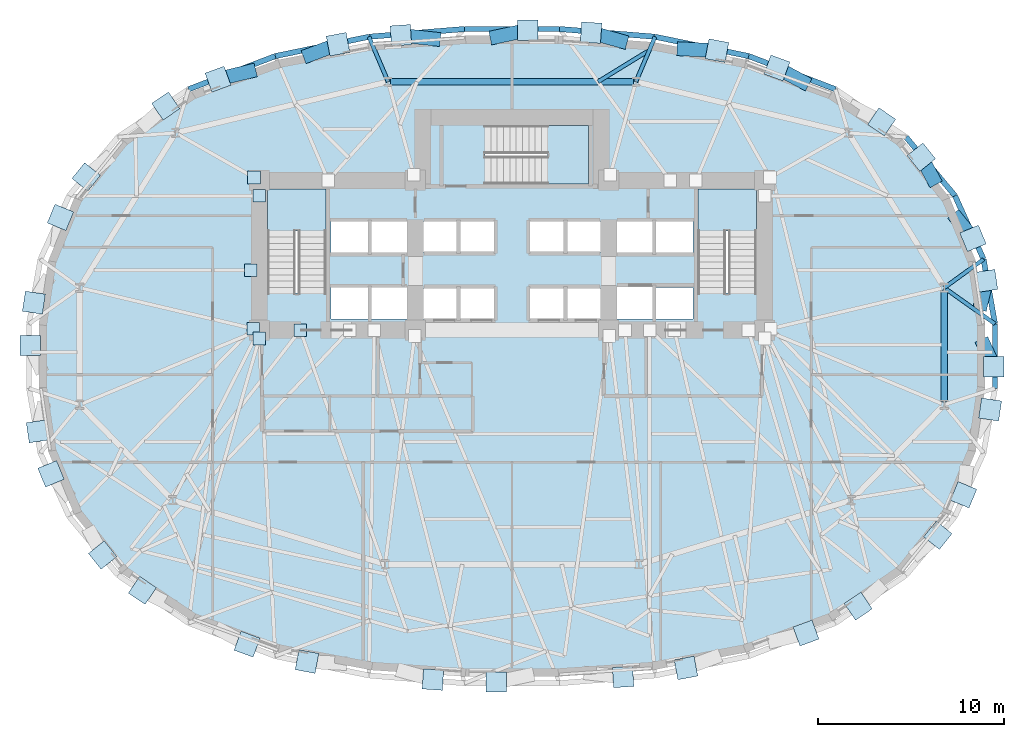
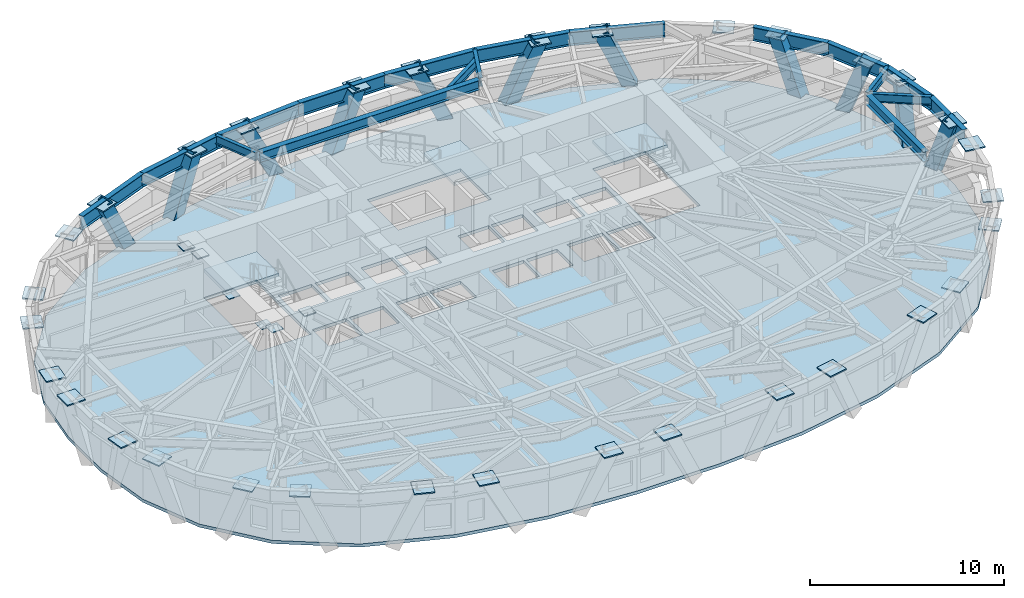
# One storey, part 4 of 13: 38 plates, 18 beams, 11 members, 4 slabs, 3 elements without a shape of their own.
"""IFC4 building model written with IfcOpenShell, lengths in metres."""

from ifc_helpers import new_model, si_unit, direction, frame, origin, origin_2d, place, context, subcontext, project, spatial, polyline, rectangle, hollow_rectangle, i_section, outline, extrude, material, layer, layer_set, material_profile, profile_set, type_object, element, aggregate, save


model = new_model("IFC4")

# Units and contexts
model_context = context("Model", 3, precision=1e-05, world=origin(), true_north=direction((0.0, 1.0)))
body_context = subcontext(model_context, "Body", "Model", "MODEL_VIEW")
ifc_project = project(units=[si_unit("LENGTHUNIT", "METRE"), si_unit("AREAUNIT", "SQUARE_METRE"), si_unit("VOLUMEUNIT", "CUBIC_METRE"), si_unit("PLANEANGLEUNIT", "RADIAN"), si_unit("MASSUNIT", "GRAM", prefix="KILO")], contexts=[model_context])

# Site, building, storey
site_placement = place(None, origin())
site = spatial("IfcSite", under=ifc_project, at=site_placement, CompositionType="ELEMENT")
building_placement = place(site_placement, origin())
building = spatial("IfcBuilding", under=site, at=building_placement, Name="Keldmark Tower", CompositionType="ELEMENT")
storey_placement = place(building_placement, frame((0.0, 0.0, 30.60009765625)))
storey = spatial("IfcBuildingStorey", under=building, at=storey_placement, Name="L07", CompositionType="ELEMENT", Elevation=30.60009765625)

# Members
ifc_material_1 = material(Name="Steel ASTM A572 Grade 50", Category="steel")
ifc_material_profile_1 = material_profile(ifc_material_1, hollow_rectangle(XDim=0.75, YDim=0.75, WallThickness=0.06494140625, at=origin_2d()), Name="BOX750X750X65")
ifc_profile_set_1 = profile_set([ifc_material_profile_1], Name="Steel ASTM A572 Grade 50")
member_type = type_object("IfcMemberType", Name="Diagrid Lower Brace BOX750X750X65", PredefinedType="BRACE", material=ifc_profile_set_1)
member_1_placement = place(storey_placement, frame((25.229736328125, 2.833984375, -0.280029296875), z_axis=(0.075225400838, 0.321423507025, 0.943942831002), x_axis=(-0.973689104632, 0.227880511497, 0.0)))
element("IfcMember", 1, at=member_1_placement, inside=storey, type_object=member_type, Name="L07 Perimeter Diagrid Brace 01A", PredefinedType="BRACE", context=body_context, shape_type="SweptSolid", body=[
    extrude(hollow_rectangle(XDim=0.75, YDim=0.75, WallThickness=0.06494140625, at=origin_2d()), origin(), (0.0, 0.0, 1.0), 3.771240234375),
])
member_2_placement = place(storey_placement, frame((23.956787109375, 7.371826171875, -0.280029296875), z_axis=(0.221303078076, -0.27330641235, 0.936124218575), x_axis=(0.777168338782, 0.62929275635, 0.0)))
element("IfcMember", 2, at=member_2_placement, inside=storey, type_object=member_type, Name="L07 Perimeter Diagrid Brace 01B", PredefinedType="BRACE", context=body_context, shape_type="SweptSolid", body=[
    extrude(hollow_rectangle(XDim=0.75, YDim=0.75, WallThickness=0.06494140625, at=origin_2d()), origin(), (0.0, 0.0, 1.0), 3.802734375),
])
member_3_placement = place(storey_placement, frame((22.650390625, 9.545654296875, -0.280029296875), z_axis=(-0.165332061105, 0.304609847989, 0.93801820349), x_axis=(-0.878886784033, -0.477030419211, 0.0)))
element("IfcMember", 3, at=member_3_placement, inside=storey, type_object=member_type, Name="L07 Perimeter Diagrid Brace 02A", PredefinedType="BRACE", context=body_context, shape_type="SweptSolid", body=[
    extrude(hollow_rectangle(XDim=0.75, YDim=0.75, WallThickness=0.06494140625, at=origin_2d()), origin(), (0.0, 0.0, 1.0), 3.794921875),
])
member_4_placement = place(storey_placement, frame((15.656005859375, 14.754638671875, -0.280029296875), z_axis=(-0.359953436715, 0.190780958454, 0.913255796197), x_axis=(-0.468304439483, -0.88356717456, 0.0)))
element("IfcMember", 4, at=member_4_placement, inside=storey, type_object=member_type, Name="L07 Perimeter Diagrid Brace 03A", PredefinedType="BRACE", context=body_context, shape_type="SweptSolid", body=[
    extrude(hollow_rectangle(XDim=0.75, YDim=0.75, WallThickness=0.06494140625, at=origin_2d()), origin(), (0.0, 0.0, 1.0), 3.89794921875),
])
member_5_placement = place(storey_placement, frame((9.212646484375, 16.5234375, -0.280029296875), z_axis=(0.454340439565, -0.022597924807, 0.890541463813), x_axis=(0.049676459756, 0.998765362508, 0.0)))
element("IfcMember", 5, at=member_5_placement, inside=storey, type_object=member_type, Name="L07 Perimeter Diagrid Brace 03B", PredefinedType="BRACE", context=body_context, shape_type="SweptSolid", body=[
    extrude(hollow_rectangle(XDim=0.75, YDim=0.75, WallThickness=0.06494140625, at=origin_2d()), origin(), (0.0, 0.0, 1.0), 3.997314453125),
])
member_6_placement = place(storey_placement, frame((5.864013671875, 16.95068359375, -0.280029296875), z_axis=(-0.409407161266, 0.114286366018, 0.905165400822), x_axis=(-0.26887144066, -0.963176073414, 0.0)))
element("IfcMember", 6, at=member_6_placement, inside=storey, type_object=member_type, Name="L07 Perimeter Diagrid Brace 04A", PredefinedType="BRACE", context=body_context, shape_type="SweptSolid", body=[
    extrude(hollow_rectangle(XDim=0.75, YDim=0.75, WallThickness=0.06494140625, at=origin_2d()), origin(), (0.0, 0.0, 1.0), 3.932861328125),
])
member_7_placement = place(storey_placement, frame((-0.841796875, 17.17822265625, -0.280029296875), z_axis=(0.426891227768, 0.090586343215, 0.899754407645), x_axis=(-0.207578015092, 0.978218466218, 0.0)))
element("IfcMember", 7, at=member_7_placement, inside=storey, type_object=member_type, Name="L07 Perimeter Diagrid Brace 04B", PredefinedType="BRACE", context=body_context, shape_type="SweptSolid", body=[
    extrude(hollow_rectangle(XDim=0.75, YDim=0.75, WallThickness=0.06494140625, at=origin_2d()), origin(), (0.0, 0.0, 1.0), 3.95654296875),
])
member_8_placement = place(storey_placement, frame((-4.188720703125, 17.063232421875, -0.280029296875), z_axis=(-0.448411907216, 0.049089045808, 0.892478026087), x_axis=(-0.108822964679, -0.994061146187, 0.0)))
element("IfcMember", 8, at=member_8_placement, inside=storey, type_object=member_type, Name="L07 Perimeter Diagrid Brace 05A", PredefinedType="BRACE", context=body_context, shape_type="SweptSolid", body=[
    extrude(hollow_rectangle(XDim=0.75, YDim=0.75, WallThickness=0.06494140625, at=origin_2d()), origin(), (0.0, 0.0, 1.0), 3.98876953125),
])
member_9_placement = place(storey_placement, frame((-10.89599609375, 16.201904296875, -0.280029296875), z_axis=(0.392148438927, 0.146370525965, 0.908182399618), x_axis=(-0.349687993664, 0.936866216216, 0.0)))
element("IfcMember", 9, at=member_9_placement, inside=storey, type_object=member_type, Name="L07 Perimeter Diagrid Brace 05B", PredefinedType="BRACE", context=body_context, shape_type="SweptSolid", body=[
    extrude(hollow_rectangle(XDim=0.75, YDim=0.75, WallThickness=0.06494140625, at=origin_2d()), origin(), (0.0, 0.0, 1.0), 3.919677734375),
])
member_10_placement = place(storey_placement, frame((-14.11181640625, 15.319091796875, -0.280029296875), z_axis=(-0.429288357235, -0.106230261204, 0.896898343151), x_axis=(0.240211280595, -0.970720629571, 0.0)))
element("IfcMember", 10, at=member_10_placement, inside=storey, type_object=member_type, Name="L07 Perimeter Diagrid Brace 06A", PredefinedType="BRACE", context=body_context, shape_type="SweptSolid", body=[
    extrude(hollow_rectangle(XDim=0.75, YDim=0.75, WallThickness=0.06494140625, at=origin_2d()), origin(), (0.0, 0.0, 1.0), 3.968994140625),
])
member_11_placement = place(storey_placement, frame((25.3994140625, 0.57177734375, -0.280029296875), z_axis=(0.138706027739, -0.302889992508, 0.94287766455), x_axis=(0.90919956447, 0.416360603285, 0.0)))
element("IfcMember", 11, at=member_11_placement, inside=storey, type_object=member_type, Name="L07 Perimeter Diagrid Brace 16B", PredefinedType="BRACE", context=body_context, shape_type="SweptSolid", body=[
    extrude(hollow_rectangle(XDim=0.75, YDim=0.75, WallThickness=0.06494140625, at=origin_2d()), origin(), (0.0, 0.0, 1.0), 3.775390625),
])

# Beams
ifc_material_2 = material(Name="Steel ASTM A992 Grade 50", Category="steel")
ifc_material_profile_2 = material_profile(ifc_material_2, i_section(OverallWidth=0.323974609375, OverallDepth=0.611083984375, WebThickness=0.0126953125, FlangeThickness=0.01904296875, at=origin_2d()), Name="W24X104")
ifc_profile_set_2 = profile_set([ifc_material_profile_2], Name="Steel ASTM A992 Grade 50")
beam_type_1 = type_object("IfcBeamType", Name="Primary Floor Girder W24X104", PredefinedType="BEAM", material=ifc_profile_set_2)
beam_1_placement = place(storey_placement, frame((6.525146484375, 14.760009765625, 3.094482421875), z_axis=(-1.0, 0.0, 0.0), x_axis=(0.0, -1.0, 0.0)))
element("IfcBeam", 12, at=beam_1_placement, inside=storey, type_object=beam_type_1, Name="L07 Floor Ring Girder FG-R03", PredefinedType="BEAM", context=body_context, shape_type="SweptSolid", body=[
    extrude(i_section(OverallWidth=0.323974609375, OverallDepth=0.611083984375, WebThickness=0.0126953125, FlangeThickness=0.01904296875, at=origin_2d()), origin(), (0.0, 0.0, 1.0), 13.05029296875),
])
beam_2_placement = place(storey_placement, frame((23.25390625, -2.47314453125, 3.094482421875), z_axis=(0.0, 1.0, 0.0), x_axis=(-1.0, 0.0, 0.0)))
element("IfcBeam", 13, at=beam_2_placement, inside=storey, type_object=beam_type_1, Name="L07 Floor Ring Girder FG-R12", PredefinedType="BEAM", context=body_context, shape_type="SweptSolid", body=[
    extrude(i_section(OverallWidth=0.323974609375, OverallDepth=0.611083984375, WebThickness=0.0126953125, FlangeThickness=0.01904296875, at=origin_2d()), origin(), (0.0, 0.0, 1.0), 6.01025390625),
])
ifc_material_3 = material(Name="Steel ASTM A992 Grade 50", Category="steel")
ifc_material_profile_3 = material_profile(ifc_material_3, i_section(OverallWidth=0.2099609375, OverallDepth=0.537109375, WebThickness=0.010986328125, FlangeThickness=0.017333984375, at=origin_2d()), Name="W21X68")
ifc_profile_set_3 = profile_set([ifc_material_profile_3], Name="Steel ASTM A992 Grade 50")
beam_type_2 = type_object("IfcBeamType", Name="Radial Tie Girder W21X68", PredefinedType="BEAM", material=ifc_profile_set_3)
beam_3_placement = place(storey_placement, frame((23.25390625, 3.67724609375, 3.13134765625), z_axis=(0.81446637972, -0.580210751629, 0.0), x_axis=(0.580210751629, 0.81446637972, 0.0)))
element("IfcBeam", 14, at=beam_3_placement, inside=storey, type_object=beam_type_2, Name="L07 Perimeter Column Bracket RT-01", PredefinedType="BEAM", context=body_context, shape_type="SweptSolid", body=[
    extrude(i_section(OverallWidth=0.2099609375, OverallDepth=0.537109375, WebThickness=0.010986328125, FlangeThickness=0.017333984375, at=origin_2d()), origin(), (0.0, 0.0, 1.0), 3.3505859375),
])
beam_4_placement = place(storey_placement, frame((23.25390625, 3.67724609375, 3.13134765625), z_axis=(0.809366097725, 0.587304452437, 0.0), x_axis=(-0.587304452437, 0.809366097725, 0.0)))
element("IfcBeam", 15, at=beam_4_placement, inside=storey, type_object=beam_type_2, Name="L07 Perimeter Column Bracket RT-02", PredefinedType="BEAM", context=body_context, shape_type="SweptSolid", body=[
    extrude(i_section(OverallWidth=0.2099609375, OverallDepth=0.537109375, WebThickness=0.010986328125, FlangeThickness=0.017333984375, at=origin_2d()), origin(), (0.0, 0.0, 1.0), 2.6123046875),
])
beam_5_placement = place(storey_placement, frame((6.6650390625, 14.760009765625, 3.13134765625), z_axis=(0.391722378206, 0.920083462743, 0.0), x_axis=(-0.920083462743, 0.391722378206, 0.0)))
element("IfcBeam", 16, at=beam_5_placement, inside=storey, type_object=beam_type_2, Name="L07 Perimeter Column Bracket RT-07", PredefinedType="BEAM", context=body_context, shape_type="SweptSolid", body=[
    extrude(i_section(OverallWidth=0.2099609375, OverallDepth=0.537109375, WebThickness=0.010986328125, FlangeThickness=0.017333984375, at=origin_2d()), origin(), (0.0, 0.0, 1.0), 2.630126953125),
])
beam_6_placement = place(storey_placement, frame((7.38623046875, 16.4541015625, 3.13134765625), z_axis=(-0.851950958262, -0.523621585419, 0.0), x_axis=(0.523621585419, -0.851950958262, 0.0)))
element("IfcBeam", 17, at=beam_6_placement, inside=storey, type_object=beam_type_2, Name="L07 Framing Pin Header PH-008", PredefinedType="BEAM", context=body_context, shape_type="SweptSolid", body=[
    extrude(i_section(OverallWidth=0.2099609375, OverallDepth=0.537109375, WebThickness=0.010986328125, FlangeThickness=0.017333984375, at=origin_2d()), origin(), (0.0, 0.0, 1.0), 3.2353515625),
])
beam_7_placement = place(storey_placement, frame((-6.6650390625, 14.760009765625, 3.13134765625), z_axis=(-0.391722378206, 0.920083462743, 0.0), x_axis=(-0.920083462743, -0.391722378206, 0.0)))
element("IfcBeam", 18, at=beam_7_placement, inside=storey, type_object=beam_type_2, Name="L07 Perimeter Column Bracket RT-10", PredefinedType="BEAM", context=body_context, shape_type="SweptSolid", body=[
    extrude(i_section(OverallWidth=0.2099609375, OverallDepth=0.537109375, WebThickness=0.010986328125, FlangeThickness=0.017333984375, at=origin_2d()), origin(), (0.0, 0.0, 1.0), 2.630126953125),
])
ifc_material_4 = material(Name="Steel ASTM A992 Grade 50", Category="steel")
ifc_material_profile_4 = material_profile(ifc_material_4, i_section(OverallWidth=0.2919921875, OverallDepth=0.85888671875, WebThickness=0.01708984375, FlangeThickness=0.031005859375, at=origin_2d()), Name="W33X169")
ifc_profile_set_4 = profile_set([ifc_material_profile_4], Name="Steel ASTM A992 Grade 50")
beam_type_3 = type_object("IfcBeamType", Name="Spandrel Ring Beam W33X169", PredefinedType="SPANDREL", material=ifc_profile_set_4)
beam_8_placement = place(storey_placement, frame((25.98291015625, 1.733154296875, 2.970458984375), z_axis=(-0.174041624961, 0.984738296595, 0.0), x_axis=(-0.984738296595, -0.174041624961, 0.0)))
element("IfcBeam", 19, at=beam_8_placement, inside=storey, type_object=beam_type_3, Name="L07 Perimeter Spandrel Ring Beam SRB-01", PredefinedType="SPANDREL", context=body_context, shape_type="SweptSolid", body=[
    extrude(i_section(OverallWidth=0.2919921875, OverallDepth=0.85888671875, WebThickness=0.01708984375, FlangeThickness=0.031005859375, at=origin_2d()), origin(), (0.0, 0.0, 1.0), 3.5322265625),
])
beam_9_placement = place(storey_placement, frame((25.3681640625, 5.21142578125, 2.970458984375), z_axis=(-0.41044057359, 0.911887348059, 0.0), x_axis=(-0.911887348059, -0.41044057359, 0.0)))
element("IfcBeam", 20, at=beam_9_placement, inside=storey, type_object=beam_type_3, Name="L07 Perimeter Spandrel Ring Beam SRB-02", PredefinedType="SPANDREL", context=body_context, shape_type="SweptSolid", body=[
    extrude(i_section(OverallWidth=0.2919921875, OverallDepth=0.85888671875, WebThickness=0.01708984375, FlangeThickness=0.031005859375, at=origin_2d()), origin(), (0.0, 0.0, 1.0), 3.7451171875),
])
beam_10_placement = place(storey_placement, frame((23.8310546875, 8.62646484375, 2.970458984375), z_axis=(-0.640675130162, 0.767812071793, 0.0), x_axis=(-0.767812071793, -0.640675130162, 0.0)))
element("IfcBeam", 21, at=beam_10_placement, inside=storey, type_object=beam_type_3, Name="L07 Perimeter Spandrel Ring Beam SRB-03", PredefinedType="SPANDREL", context=body_context, shape_type="SweptSolid", body=[
    extrude(i_section(OverallWidth=0.2919921875, OverallDepth=0.85888671875, WebThickness=0.01708984375, FlangeThickness=0.031005859375, at=origin_2d()), origin(), (0.0, 0.0, 1.0), 4.109375),
])
beam_11_placement = place(storey_placement, frame((17.39697265625, 14.35595703125, 2.970458984375), z_axis=(-0.933928375579, 0.357460192592, 0.0), x_axis=(-0.357460192592, -0.933928375579, 0.0)))
element("IfcBeam", 22, at=beam_11_placement, inside=storey, type_object=beam_type_3, Name="L07 Perimeter Spandrel Ring Beam SRB-05", PredefinedType="SPANDREL", context=body_context, shape_type="SweptSolid", body=[
    extrude(i_section(OverallWidth=0.2919921875, OverallDepth=0.85888671875, WebThickness=0.01708984375, FlangeThickness=0.031005859375, at=origin_2d()), origin(), (0.0, 0.0, 1.0), 4.988525390625),
])
beam_12_placement = place(storey_placement, frame((12.738037109375, 16.13916015625, 2.970458984375), z_axis=(-0.979358594609, 0.202130510231, 0.0), x_axis=(-0.202130510231, -0.979358594609, 0.0)))
element("IfcBeam", 23, at=beam_12_placement, inside=storey, type_object=beam_type_3, Name="L07 Perimeter Spandrel Ring Beam SRB-06", PredefinedType="SPANDREL", context=body_context, shape_type="SweptSolid", body=[
    extrude(i_section(OverallWidth=0.2919921875, OverallDepth=0.85888671875, WebThickness=0.01708984375, FlangeThickness=0.031005859375, at=origin_2d()), origin(), (0.0, 0.0, 1.0), 5.14892578125),
])
beam_13_placement = place(storey_placement, frame((7.6953125, 17.179931640625, 2.970458984375), z_axis=(-0.996732038622, 0.080778977367, 0.0), x_axis=(-0.080778977367, -0.996732038622, 0.0)))
element("IfcBeam", 24, at=beam_13_placement, inside=storey, type_object=beam_type_3, Name="L07 Perimeter Spandrel Ring Beam SRB-07", PredefinedType="SPANDREL", context=body_context, shape_type="SweptSolid", body=[
    extrude(i_section(OverallWidth=0.2919921875, OverallDepth=0.85888671875, WebThickness=0.01708984375, FlangeThickness=0.031005859375, at=origin_2d()), origin(), (0.0, 0.0, 1.0), 5.153076171875),
])
beam_14_placement = place(storey_placement, frame((2.55908203125, 17.59619140625, 2.970458984375), z_axis=(-1.0, 0.0, 0.0), x_axis=(0.0, -1.0, 0.0)))
element("IfcBeam", 25, at=beam_14_placement, inside=storey, type_object=beam_type_3, Name="L07 Perimeter Spandrel Ring Beam SRB-08", PredefinedType="SPANDREL", context=body_context, shape_type="SweptSolid", body=[
    extrude(i_section(OverallWidth=0.2919921875, OverallDepth=0.85888671875, WebThickness=0.01708984375, FlangeThickness=0.031005859375, at=origin_2d()), origin(), (0.0, 0.0, 1.0), 5.1181640625),
])
beam_15_placement = place(storey_placement, frame((-2.55908203125, 17.59619140625, 2.970458984375), z_axis=(-0.996732038622, -0.080778977367, 0.0), x_axis=(0.080778977367, -0.996732038622, 0.0)))
element("IfcBeam", 26, at=beam_15_placement, inside=storey, type_object=beam_type_3, Name="L07 Perimeter Spandrel Ring Beam SRB-09", PredefinedType="SPANDREL", context=body_context, shape_type="SweptSolid", body=[
    extrude(i_section(OverallWidth=0.2919921875, OverallDepth=0.85888671875, WebThickness=0.01708984375, FlangeThickness=0.031005859375, at=origin_2d()), origin(), (0.0, 0.0, 1.0), 5.153076171875),
])
beam_16_placement = place(storey_placement, frame((-7.6953125, 17.179931640625, 2.970458984375), z_axis=(-0.979358594609, -0.202130510231, 0.0), x_axis=(0.202130510231, -0.979358594609, 0.0)))
element("IfcBeam", 27, at=beam_16_placement, inside=storey, type_object=beam_type_3, Name="L07 Perimeter Spandrel Ring Beam SRB-10", PredefinedType="SPANDREL", context=body_context, shape_type="SweptSolid", body=[
    extrude(i_section(OverallWidth=0.2919921875, OverallDepth=0.85888671875, WebThickness=0.01708984375, FlangeThickness=0.031005859375, at=origin_2d()), origin(), (0.0, 0.0, 1.0), 5.14892578125),
])
beam_17_placement = place(storey_placement, frame((-12.738037109375, 16.13916015625, 2.970458984375), z_axis=(-0.933928375579, -0.357460192592, 0.0), x_axis=(0.357460192592, -0.933928375579, 0.0)))
element("IfcBeam", 28, at=beam_17_placement, inside=storey, type_object=beam_type_3, Name="L07 Perimeter Spandrel Ring Beam SRB-11", PredefinedType="SPANDREL", context=body_context, shape_type="SweptSolid", body=[
    extrude(i_section(OverallWidth=0.2919921875, OverallDepth=0.85888671875, WebThickness=0.01708984375, FlangeThickness=0.031005859375, at=origin_2d()), origin(), (0.0, 0.0, 1.0), 4.988525390625),
])
beam_18_placement = place(storey_placement, frame((25.98291015625, -1.733154296875, 2.970458984375), z_axis=(0.0, 1.0, 0.0), x_axis=(-1.0, 0.0, 0.0)))
element("IfcBeam", 29, at=beam_18_placement, inside=storey, type_object=beam_type_3, Name="L07 Perimeter Spandrel Ring Beam SRB-32", PredefinedType="SPANDREL", context=body_context, shape_type="SweptSolid", body=[
    extrude(i_section(OverallWidth=0.2919921875, OverallDepth=0.85888671875, WebThickness=0.01708984375, FlangeThickness=0.031005859375, at=origin_2d()), origin(), (0.0, 0.0, 1.0), 3.46630859375),
])

# Plates
ifc_material_5 = material(Name="Steel ASTM A572 Grade 50", Category="steel")
ifc_layer_1 = layer(ifc_material_5, 0.06005859375)
ifc_layer_set_1 = layer_set([ifc_layer_1], Name="Steel ASTM A572 Grade 50")
plate_type_1 = type_object("IfcPlateType", Name="Belt Truss Kink Node Assembly KN01 60 mm", PredefinedType="USERDEFINED", material=ifc_layer_set_1)
for number, where, z_axis, x_axis, name in (
    (30, (-13.878173828125, 9.608154296875, 3.09814453125), (0.0, 0.0, 1.0), (1.0, 0.0, 0.0), "L07 Core Wall Cast-In Embed Plate 159"),
    (31, (-13.91162109375, 1.473388671875, 3.09814453125), (0.0, 0.0, 1.0), (1.0, 0.0, 0.0), "L07 Core Wall Cast-In Embed Plate 160"),
    (32, (-13.60009765625, 0.949951171875, 3.10400390625), (0.0, 0.0, 1.0), (1.0, 0.0, 0.0), "L07 Core Wall Cast-In Embed Plate 163"),
    (33, (-11.392822265625, 1.39990234375, 3.10400390625), (0.0, 0.0, 1.0), (1.0, 0.0, 0.0), "L07 Core Wall Cast-In Embed Plate 164"),
    (34, (-13.60009765625, 8.621337890625, 3.10400390625), (0.0, 0.0, 1.0), (1.0, 0.0, 0.0), "L07 Core Wall Cast-In Embed Plate 170"),
    (35, (-14.044921875, 4.6201171875, 3.14404296875), (0.0, 0.0, 1.0), (1.0, 0.0, 0.0), "L07 Core Wall Cast-In Embed Plate 177"),
):
    element("IfcPlate", number, at=place(storey_placement, frame(where, z_axis=z_axis, x_axis=x_axis)), inside=storey, type_object=plate_type_1, Name=name, ObjectType="CAP PLATE", PredefinedType="USERDEFINED", context=body_context, shape_type="SweptSolid", body=[
        extrude(rectangle(XDim=0.679931640625, YDim=0.679931640625, at=origin_2d()), origin(), (0.0, 0.0, 1.0), 0.054931640625),
    ])
ifc_material_6 = material(Name="Steel ASTM A572 Grade 50", Category="steel")
ifc_layer_2 = layer(ifc_material_6, 0.074951171875)
ifc_layer_set_2 = layer_set([ifc_layer_2], Name="Steel ASTM A572 Grade 50")
plate_type_2 = type_object("IfcPlateType", Name="Diagrid Node Assembly DN01 75 mm", PredefinedType="USERDEFINED", material=ifc_layer_set_2)
for number, where, z_axis, x_axis, name in (
    (36, (25.513427734375, 4.046142578125, 3.2421875), (0.0, 0.0, 1.0), (-0.146946275799, 0.989144474801, 0.0), "L07 Diagrid Node Assembly 01"),
    (37, (24.79833984375, 6.33251953125, 3.2421875), (0.0, 0.0, 1.0), (-0.381877049766, 0.924213134976, 0.0), "L07 Diagrid Node Assembly 02"),
    (38, (22.02294921875, 10.70166015625, 3.2421875), (0.0, 0.0, 1.0), (-0.625106436011, 0.780539520881, 0.0), "L07 Diagrid Node Assembly 03"),
    (39, (19.884765625, 12.601806640625, 3.2421875), (0.0, 0.0, 1.0), (-0.828060334622, 0.560638994563, 0.0), "L07 Diagrid Node Assembly 04"),
    (40, (14.2529296875, 15.498291015625, 3.2421875), (0.0, 0.0, 1.0), (-0.938733857654, 0.344642923175, 0.0), "L07 Diagrid Node Assembly 05"),
    (41, (11.02880859375, 16.43310546875, 3.2421875), (0.0, 0.0, 1.0), (-0.982515447041, 0.186181084768, 0.0), "L07 Diagrid Node Assembly 06"),
    (42, (4.25390625, 17.400146484375, 3.2421875), (0.0, 0.0, 1.0), (-0.997684278836, 0.068015290665, 0.0), "L07 Diagrid Node Assembly 07"),
    (43, (0.84716796875, 17.53662109375, 3.2421875), (0.0, 0.0, 1.0), (-1.0, 0.0, 0.0), "L07 Diagrid Node Assembly 08"),
    (44, (-5.977294921875, 17.259033203125, 3.2421875), (0.0, 0.0, 1.0), (-0.997684278836, -0.068015290665, 0.0), "L07 Diagrid Node Assembly 09"),
    (45, (-9.35888671875, 16.775634765625, 3.2421875), (0.0, 0.0, 1.0), (-0.982515447041, -0.186181084768, 0.0), "L07 Diagrid Node Assembly 10"),
    (46, (-15.815673828125, 14.8974609375, 3.2421875), (0.0, 0.0, 1.0), (-0.938733857654, -0.344642923175, 0.0), "L07 Diagrid Node Assembly 11"),
    (47, (-18.6259765625, 13.451416015625, 3.2421875), (0.0, 0.0, 1.0), (-0.828060334622, -0.560638994563, 0.0), "L07 Diagrid Node Assembly 12"),
    (48, (-22.906982421875, 9.64013671875, 3.2421875), (0.0, 0.0, 1.0), (-0.625106436011, -0.780539520881, 0.0), "L07 Diagrid Node Assembly 13"),
    (49, (-24.29052734375, 7.4599609375, 3.2421875), (0.0, 0.0, 1.0), (-0.381877049766, -0.924213134976, 0.0), "L07 Diagrid Node Assembly 14"),
    (50, (-25.720703125, 2.875244140625, 3.2421875), (0.0, 0.0, 1.0), (-0.146946275799, -0.989144474801, 0.0), "L07 Diagrid Node Assembly 15"),
    (51, (-25.923095703125, 0.57177734375, 3.2421875), (0.0, 0.0, 1.0), (0.0, -1.0, 0.0), "L07 Diagrid Node Assembly 16"),
    (52, (-25.513427734375, -4.046142578125, 3.2421875), (0.0, 0.0, 1.0), (0.146946275799, -0.989144474801, 0.0), "L07 Diagrid Node Assembly 17"),
    (53, (-24.79833984375, -6.33251953125, 3.2421875), (0.0, 0.0, 1.0), (0.381877049766, -0.924213134976, 0.0), "L07 Diagrid Node Assembly 18"),
    (54, (-22.02294921875, -10.70166015625, 3.2421875), (0.0, 0.0, 1.0), (0.625106436011, -0.780539520881, 0.0), "L07 Diagrid Node Assembly 19"),
    (55, (-19.884765625, -12.601806640625, 3.2421875), (0.0, 0.0, 1.0), (0.828060334622, -0.560638994563, 0.0), "L07 Diagrid Node Assembly 20"),
    (56, (-14.2529296875, -15.498291015625, 3.2421875), (0.0, 0.0, 1.0), (0.938733857654, -0.344642923175, 0.0), "L07 Diagrid Node Assembly 21"),
    (57, (-11.02880859375, -16.43310546875, 3.2421875), (0.0, 0.0, 1.0), (0.982515447041, -0.186181084768, 0.0), "L07 Diagrid Node Assembly 22"),
    (58, (-4.25390625, -17.400146484375, 3.2421875), (0.0, 0.0, 1.0), (0.997684278836, -0.068015290665, 0.0), "L07 Diagrid Node Assembly 23"),
    (59, (-0.84716796875, -17.53662109375, 3.2421875), (0.0, 0.0, 1.0), (1.0, 0.0, 0.0), "L07 Diagrid Node Assembly 24"),
    (60, (5.977294921875, -17.259033203125, 3.2421875), (0.0, 0.0, 1.0), (0.997684278836, 0.068015290665, 0.0), "L07 Diagrid Node Assembly 25"),
    (61, (9.35888671875, -16.775634765625, 3.2421875), (0.0, 0.0, 1.0), (0.982515447041, 0.186181084768, 0.0), "L07 Diagrid Node Assembly 26"),
    (62, (15.815673828125, -14.8974609375, 3.2421875), (0.0, 0.0, 1.0), (0.938733857654, 0.344642923175, 0.0), "L07 Diagrid Node Assembly 27"),
    (63, (18.6259765625, -13.451416015625, 3.2421875), (0.0, 0.0, 1.0), (0.828060334622, 0.560638994563, 0.0), "L07 Diagrid Node Assembly 28"),
    (64, (22.906982421875, -9.64013671875, 3.2421875), (0.0, 0.0, 1.0), (0.625106436011, 0.780539520881, 0.0), "L07 Diagrid Node Assembly 29"),
    (65, (24.29052734375, -7.4599609375, 3.2421875), (0.0, 0.0, 1.0), (0.381877049766, 0.924213134976, 0.0), "L07 Diagrid Node Assembly 30"),
    (66, (25.720703125, -2.875244140625, 3.2421875), (0.0, 0.0, 1.0), (0.146946275799, 0.989144474801, 0.0), "L07 Diagrid Node Assembly 31"),
    (67, (25.923095703125, -0.57177734375, 3.2421875), (0.0, 0.0, 1.0), (0.0, 1.0, 0.0), "L07 Diagrid Node Assembly 32"),
):
    element("IfcPlate", number, at=place(storey_placement, frame(where, z_axis=z_axis, x_axis=x_axis)), inside=storey, type_object=plate_type_2, Name=name, ObjectType="GUSSET", PredefinedType="USERDEFINED", context=body_context, shape_type="SweptSolid", body=[
        extrude(rectangle(XDim=1.090087890625, YDim=1.090087890625, at=origin_2d()), origin(), (0.0, 0.0, 1.0), 0.074951171875),
    ])

# Slab
ifc_material_7 = material(Name="Concrete C35/45", Category="concrete")
ifc_layer_3 = layer(ifc_material_7, 0.199951171875)
ifc_layer_set_3 = layer_set([ifc_layer_3], Name="Concrete C35/45")
slab_type_1 = type_object("IfcSlabType", Name="Low-Rise Office Composite Slab 200 mm", PredefinedType="FLOOR", material=ifc_layer_set_3)
slab_1_placement = place(storey_placement, frame((0.0, 0.0, -0.2001953125)))
element("IfcSlab", 68, at=slab_1_placement, inside=storey, type_object=slab_type_1, Name="L07 Composite Structural Floor Slab", PredefinedType="FLOOR", context=body_context, shape_type="SweptSolid", body=[
    extrude(outline(polyline([(25.459228515625, 1.69775390625), (24.949951171875, 5.12451171875), (23.546142578125, 8.521484375), (21.017333984375, 11.6787109375), (17.24853515625, 14.23046875), (12.585693359375, 15.942626953125), (7.568603515625, 16.89306640625), (2.507568359375, 17.23779296875), (-2.507568359375, 17.23779296875), (-7.568603515625, 16.89306640625), (-12.585693359375, 15.942626953125), (-17.24853515625, 14.23046875), (-21.017333984375, 11.6787109375), (-23.546142578125, 8.521484375), (-24.949951171875, 5.12451171875), (-25.459228515625, 1.69775390625), (-25.459228515625, -1.69775390625), (-24.949951171875, -5.12451171875), (-23.546142578125, -8.521484375), (-21.017333984375, -11.6787109375), (-17.24853515625, -14.23046875), (-12.585693359375, -15.942626953125), (-7.568603515625, -16.89306640625), (-2.507568359375, -17.23779296875), (2.507568359375, -17.23779296875), (7.568603515625, -16.89306640625), (12.585693359375, -15.942626953125), (17.24853515625, -14.23046875), (21.017333984375, -11.6787109375), (23.546142578125, -8.521484375), (24.949951171875, -5.12451171875), (25.459228515625, -1.69775390625), (25.459228515625, 1.69775390625)]), holes=[polyline([(-10.0, 3.385009765625), (-10.0, 9.0), (-13.14990234375, 9.0), (-13.14990234375, 3.385009765625), (-10.0, 3.385009765625)]), polyline([(13.14990234375, 3.385009765625), (13.14990234375, 9.0), (10.0, 9.0), (10.0, 3.385009765625), (13.14990234375, 3.385009765625)]), polyline([(-1.43994140625, 9.25), (4.10498046875, 9.25), (4.10498046875, 12.39990234375), (-1.43994140625, 12.39990234375), (-1.43994140625, 9.25)]), polyline([(-9.75, 2.0), (-7.75, 2.0), (-7.75, 3.699951171875), (-9.75, 3.699951171875), (-9.75, 2.0)]), polyline([(7.75, 2.0), (9.75, 2.0), (9.75, 3.699951171875), (7.75, 3.699951171875), (7.75, 2.0)]), polyline([(5.449951171875, 2.0), (7.550048828125, 2.0), (7.550048828125, 3.75), (5.449951171875, 3.75), (5.449951171875, 2.0)]), polyline([(-4.800048828125, 2.0), (-2.949951171875, 2.0), (-2.949951171875, 3.64990234375), (-4.800048828125, 3.64990234375), (-4.800048828125, 2.0)]), polyline([(-2.800048828125, 2.0), (-0.949951171875, 2.0), (-0.949951171875, 3.64990234375), (-2.800048828125, 3.64990234375), (-2.800048828125, 2.0)]), polyline([(0.949951171875, 2.0), (2.800048828125, 2.0), (2.800048828125, 3.64990234375), (0.949951171875, 3.64990234375), (0.949951171875, 2.0)]), polyline([(2.949951171875, 2.0), (4.800048828125, 2.0), (4.800048828125, 3.64990234375), (2.949951171875, 3.64990234375), (2.949951171875, 2.0)]), polyline([(-4.800048828125, 5.60009765625), (-2.949951171875, 5.60009765625), (-2.949951171875, 7.25), (-4.800048828125, 7.25), (-4.800048828125, 5.60009765625)]), polyline([(-2.800048828125, 5.60009765625), (-0.949951171875, 5.60009765625), (-0.949951171875, 7.25), (-2.800048828125, 7.25), (-2.800048828125, 5.60009765625)]), polyline([(0.949951171875, 5.60009765625), (2.800048828125, 5.60009765625), (2.800048828125, 7.25), (0.949951171875, 7.25), (0.949951171875, 5.60009765625)]), polyline([(2.949951171875, 5.60009765625), (4.800048828125, 5.60009765625), (4.800048828125, 7.25), (2.949951171875, 7.25), (2.949951171875, 5.60009765625)]), polyline([(-9.75, 5.550048828125), (-7.75, 5.550048828125), (-7.75, 7.25), (-9.75, 7.25), (-9.75, 5.550048828125)]), polyline([(-7.550048828125, 5.550048828125), (-5.550048828125, 5.550048828125), (-5.550048828125, 7.25), (-7.550048828125, 7.25), (-7.550048828125, 5.550048828125)]), polyline([(-7.550048828125, 2.0), (-5.550048828125, 2.0), (-5.550048828125, 3.699951171875), (-7.550048828125, 3.699951171875), (-7.550048828125, 2.0)]), polyline([(5.449951171875, 5.550048828125), (7.550048828125, 5.550048828125), (7.550048828125, 7.25), (5.449951171875, 7.25), (5.449951171875, 5.550048828125)]), polyline([(7.75, 5.550048828125), (9.75, 5.550048828125), (9.75, 7.25), (7.75, 7.25), (7.75, 5.550048828125)])]), origin(), (0.0, 0.0, 1.0), 0.2001953125),
])

# Stair, slab
ifc_material_8 = material(Name="Concrete C40/50", Category="concrete")
stair_type = type_object("IfcStairType", Name="Precast Concrete Core Exit Stair", PredefinedType="HALF_TURN_STAIR", material=ifc_material_8)
stair_1_placement = place(storey_placement, origin())
stair_1 = element("IfcStair", 69, at=stair_1_placement, inside=storey, type_object=stair_type, Name="L07 Exit Stair ST1", PredefinedType="HALF_TURN_STAIR")
ifc_material_9 = material(Name="Concrete C40/50", Category="concrete")
ifc_layer_4 = layer(ifc_material_9, 0.199951171875)
ifc_layer_set_4 = layer_set([ifc_layer_4], Name="Concrete C40/50")
slab_type_2 = type_object("IfcSlabType", Name="Reinforced Concrete Stair Landing 200 mm", PredefinedType="LANDING", material=ifc_layer_set_4)
slab_2_placement = place(storey_placement, frame((0.0, 0.0, 1.599853515625)))
slab_2 = element("IfcSlab", 70, at=slab_2_placement, type_object=slab_type_2, Name="ST1 landing 1", PredefinedType="LANDING", context=body_context, shape_type="SweptSolid", body=[
    extrude(outline(polyline([(-10.0, 6.72998046875), (-10.0, 9.0), (-13.14990234375, 9.0), (-13.14990234375, 6.72998046875), (-10.0, 6.72998046875)])), origin(), (0.0, 0.0, 1.0), 0.199951171875),
])
aggregate(stair_1, [slab_2])

stair_2_placement = place(storey_placement, origin())
stair_2 = element("IfcStair", 71, at=stair_2_placement, inside=storey, type_object=stair_type, Name="L07 Exit Stair ST2", PredefinedType="HALF_TURN_STAIR")
slab_3_placement = place(storey_placement, frame((0.0, 0.0, 1.599853515625)))
slab_3 = element("IfcSlab", 72, at=slab_3_placement, type_object=slab_type_2, Name="ST2 landing 1", PredefinedType="LANDING", context=body_context, shape_type="SweptSolid", body=[
    extrude(outline(polyline([(13.14990234375, 6.72998046875), (13.14990234375, 9.0), (10.0, 9.0), (10.0, 6.72998046875), (13.14990234375, 6.72998046875)])), origin(), (0.0, 0.0, 1.0), 0.199951171875),
])
aggregate(stair_2, [slab_3])

stair_3_placement = place(storey_placement, origin())
stair_3 = element("IfcStair", 73, at=stair_3_placement, inside=storey, type_object=stair_type, Name="L07 Exit Stair ST3", PredefinedType="HALF_TURN_STAIR")
slab_4_placement = place(storey_placement, frame((0.0, 0.0, 1.599853515625)))
slab_4 = element("IfcSlab", 74, at=slab_4_placement, type_object=slab_type_2, Name="ST3 landing 1", PredefinedType="LANDING", context=body_context, shape_type="SweptSolid", body=[
    extrude(outline(polyline([(1.905029296875, 9.25), (4.10498046875, 9.25), (4.10498046875, 12.39990234375), (1.905029296875, 12.39990234375), (1.905029296875, 9.25)])), origin(), (0.0, 0.0, 1.0), 0.199951171875),
])
aggregate(stair_3, [slab_4])

save(model, "model.ifc")
